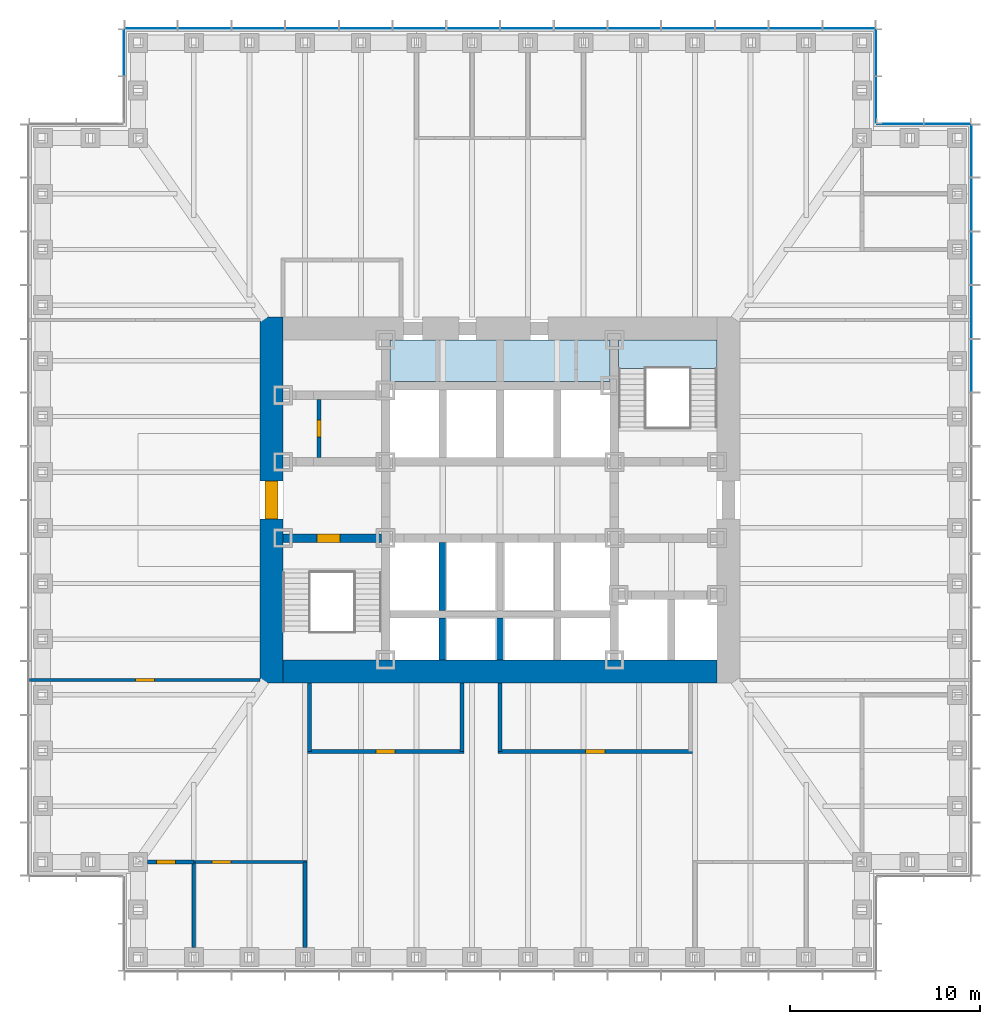
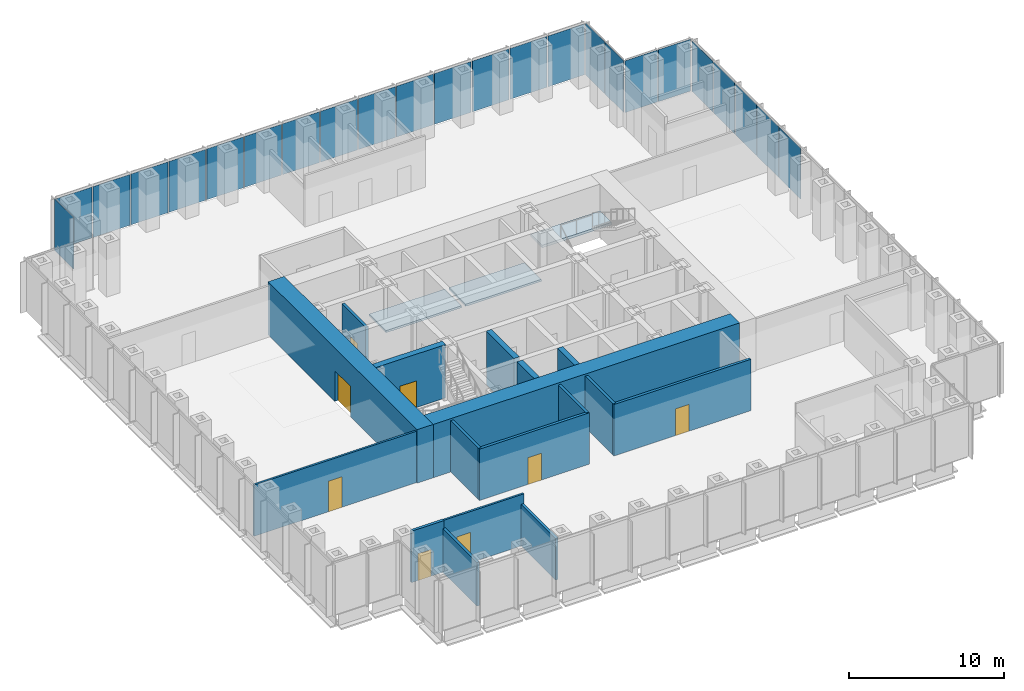
# One storey, part 8 of 16: 24 plates, 17 walls, 8 doors, 3 slabs, 8 openings, 6 elements without a shape of their own.
"""IFC4 building model written with IfcOpenShell, lengths in metres."""

from ifc_helpers import new_model, si_unit, direction, frame, frame_2d, origin, origin_2d, place, context, subcontext, project, spatial, polyline, rectangle, outline, extrude, material, layer, layer_set, type_object, element, fill, aggregate, save


model = new_model("IFC4")

# Units and contexts
model_context = context("Model", 3, precision=1e-05, world=origin(), true_north=direction((0.0, 1.0)))
body_context = subcontext(model_context, "Body", "Model", "MODEL_VIEW")
ifc_project = project(units=[si_unit("LENGTHUNIT", "METRE"), si_unit("AREAUNIT", "SQUARE_METRE"), si_unit("VOLUMEUNIT", "CUBIC_METRE"), si_unit("PLANEANGLEUNIT", "RADIAN"), si_unit("MASSUNIT", "GRAM", prefix="KILO")], contexts=[model_context])

# Site, building, storey
site_placement = place(None, origin())
site = spatial("IfcSite", under=ifc_project, at=site_placement, CompositionType="ELEMENT")
building_placement = place(site_placement, origin())
building = spatial("IfcBuilding", under=site, at=building_placement, Name="Daluyong Arena Tower", CompositionType="ELEMENT")
storey_placement = place(building_placement, frame((0.0, 0.0, 47.5)))
storey = spatial("IfcBuildingStorey", under=building, at=storey_placement, Name="L09", CompositionType="ELEMENT", Elevation=47.5)

# Curtain wall, plates
ifc_material_1 = material(Name="Bronze anodised aluminium and glass", Category="aluminium")
curtain_wall_type_1 = type_object("IfcCurtainWallType", Name="Curtain wall CW1", PredefinedType="USERDEFINED", material=ifc_material_1)
curtain_wall_1_placement = place(storey_placement, origin())
curtain_wall_1 = element("IfcCurtainWall", 1, at=curtain_wall_1_placement, inside=storey, type_object=curtain_wall_type_1, Name="curtain wall L09 E", ObjectType="UNITISED CURTAIN WALL", PredefinedType="USERDEFINED")
ifc_material_2 = material(Name="Tinted double glazed unit", Category="glass")
ifc_layer_1 = layer(ifc_material_2, 0.031982421875)
ifc_layer_set_1 = layer_set([ifc_layer_1], Name="Tinted double glazed unit")
plate_type_1 = type_object("IfcPlateType", Name="CW1 panel 32", PredefinedType="CURTAIN_PANEL", material=ifc_layer_set_1)
plate_1_placement = place(storey_placement, frame((80.75, 87.053466796875, 0.0), z_axis=(0.0, 0.0, 1.0), x_axis=(0.0, 1.0, 0.0)))
plate_1 = element("IfcPlate", 2, at=plate_1_placement, type_object=plate_type_1, Name="curtain wall L09 E panel 10", PredefinedType="CURTAIN_PANEL", context=body_context, shape_type="SweptSolid", body=[
    extrude(rectangle(XDim=2.741455078125, YDim=0.031982421875, at=origin_2d()), origin(), (0.0, 0.0, 1.0), 4.0),
])
plate_2_placement = place(storey_placement, frame((80.75, 89.875, 0.0), z_axis=(0.0, 0.0, 1.0), x_axis=(0.0, 1.0, 0.0)))
plate_2 = element("IfcPlate", 3, at=plate_2_placement, type_object=plate_type_1, Name="curtain wall L09 E panel 11", PredefinedType="CURTAIN_PANEL", context=body_context, shape_type="SweptSolid", body=[
    extrude(rectangle(XDim=2.741455078125, YDim=0.031982421875, at=origin_2d()), origin(), (0.0, 0.0, 1.0), 4.0),
])
plate_3_placement = place(storey_placement, frame((80.75, 92.696533203125, 0.0), z_axis=(0.0, 0.0, 1.0), x_axis=(0.0, 1.0, 0.0)))
plate_3 = element("IfcPlate", 4, at=plate_3_placement, type_object=plate_type_1, Name="curtain wall L09 E panel 12", PredefinedType="CURTAIN_PANEL", context=body_context, shape_type="SweptSolid", body=[
    extrude(rectangle(XDim=2.741455078125, YDim=0.031982421875, at=origin_2d()), origin(), (0.0, 0.0, 1.0), 4.0),
])
plate_4_placement = place(storey_placement, frame((80.75, 95.517822265625, 0.0), z_axis=(0.0, 0.0, 1.0), x_axis=(0.0, 1.0, 0.0)))
plate_4 = element("IfcPlate", 5, at=plate_4_placement, type_object=plate_type_1, Name="curtain wall L09 E panel 13", PredefinedType="CURTAIN_PANEL", context=body_context, shape_type="SweptSolid", body=[
    extrude(rectangle(XDim=2.741455078125, YDim=0.031982421875, at=origin_2d()), origin(), (0.0, 0.0, 1.0), 4.0),
])
plate_5_placement = place(storey_placement, frame((80.75, 98.3193359375, 0.0), z_axis=(0.0, 0.0, 1.0), x_axis=(0.0, 1.0, 0.0)))
plate_5 = element("IfcPlate", 6, at=plate_5_placement, type_object=plate_type_1, Name="curtain wall L09 E panel 14", PredefinedType="CURTAIN_PANEL", context=body_context, shape_type="SweptSolid", body=[
    extrude(rectangle(XDim=2.701416015625, YDim=0.031982421875, at=origin_2d()), origin(), (0.0, 0.0, 1.0), 4.0),
])
aggregate(curtain_wall_1, [plate_1, plate_2, plate_3, plate_4, plate_5])

curtain_wall_2_placement = place(storey_placement, origin())
curtain_wall_2 = element("IfcCurtainWall", 7, at=curtain_wall_2_placement, inside=storey, type_object=curtain_wall_type_1, Name="curtain wall L09 N", ObjectType="UNITISED CURTAIN WALL", PredefinedType="USERDEFINED")
plate_6_placement = place(storey_placement, frame((74.3193359375, 104.75, 0.0), z_axis=(0.0, 0.0, 1.0), x_axis=(-1.0, 0.0, 0.0)))
plate_6 = element("IfcPlate", 8, at=plate_6_placement, type_object=plate_type_1, Name="curtain wall L09 N panel 1", PredefinedType="CURTAIN_PANEL", context=body_context, shape_type="SweptSolid", body=[
    extrude(rectangle(XDim=2.701416015625, YDim=0.031982421875, at=origin_2d()), origin(), (0.0, 0.0, 1.0), 4.0),
])
plate_7_placement = place(storey_placement, frame((71.517822265625, 104.75, 0.0), z_axis=(0.0, 0.0, 1.0), x_axis=(-1.0, 0.0, 0.0)))
plate_7 = element("IfcPlate", 9, at=plate_7_placement, type_object=plate_type_1, Name="curtain wall L09 N panel 2", PredefinedType="CURTAIN_PANEL", context=body_context, shape_type="SweptSolid", body=[
    extrude(rectangle(XDim=2.741455078125, YDim=0.031982421875, at=origin_2d()), origin(), (0.0, 0.0, 1.0), 4.0),
])
plate_8_placement = place(storey_placement, frame((68.696533203125, 104.75, 0.0), z_axis=(0.0, 0.0, 1.0), x_axis=(-1.0, 0.0, 0.0)))
plate_8 = element("IfcPlate", 10, at=plate_8_placement, type_object=plate_type_1, Name="curtain wall L09 N panel 3", PredefinedType="CURTAIN_PANEL", context=body_context, shape_type="SweptSolid", body=[
    extrude(rectangle(XDim=2.741455078125, YDim=0.031982421875, at=origin_2d()), origin(), (0.0, 0.0, 1.0), 4.0),
])
plate_9_placement = place(storey_placement, frame((65.875, 104.75, 0.0), z_axis=(0.0, 0.0, 1.0), x_axis=(-1.0, 0.0, 0.0)))
plate_9 = element("IfcPlate", 11, at=plate_9_placement, type_object=plate_type_1, Name="curtain wall L09 N panel 4", PredefinedType="CURTAIN_PANEL", context=body_context, shape_type="SweptSolid", body=[
    extrude(rectangle(XDim=2.741455078125, YDim=0.031982421875, at=origin_2d()), origin(), (0.0, 0.0, 1.0), 4.0),
])
plate_10_placement = place(storey_placement, frame((63.053466796875, 104.75, 0.0), z_axis=(0.0, 0.0, 1.0), x_axis=(-1.0, 0.0, 0.0)))
plate_10 = element("IfcPlate", 12, at=plate_10_placement, type_object=plate_type_1, Name="curtain wall L09 N panel 5", PredefinedType="CURTAIN_PANEL", context=body_context, shape_type="SweptSolid", body=[
    extrude(rectangle(XDim=2.741455078125, YDim=0.031982421875, at=origin_2d()), origin(), (0.0, 0.0, 1.0), 4.0),
])
plate_11_placement = place(storey_placement, frame((60.232177734375, 104.75, 0.0), z_axis=(0.0, 0.0, 1.0), x_axis=(-1.0, 0.0, 0.0)))
plate_11 = element("IfcPlate", 13, at=plate_11_placement, type_object=plate_type_1, Name="curtain wall L09 N panel 6", PredefinedType="CURTAIN_PANEL", context=body_context, shape_type="SweptSolid", body=[
    extrude(rectangle(XDim=2.741455078125, YDim=0.031982421875, at=origin_2d()), origin(), (0.0, 0.0, 1.0), 4.0),
])
plate_12_placement = place(storey_placement, frame((57.41064453125, 104.75, 0.0), z_axis=(0.0, 0.0, 1.0), x_axis=(-1.0, 0.0, 0.0)))
plate_12 = element("IfcPlate", 14, at=plate_12_placement, type_object=plate_type_1, Name="curtain wall L09 N panel 7", PredefinedType="CURTAIN_PANEL", context=body_context, shape_type="SweptSolid", body=[
    extrude(rectangle(XDim=2.741455078125, YDim=0.031982421875, at=origin_2d()), origin(), (0.0, 0.0, 1.0), 4.0),
])
plate_13_placement = place(storey_placement, frame((54.58935546875, 104.75, 0.0), z_axis=(0.0, 0.0, 1.0), x_axis=(-1.0, 0.0, 0.0)))
plate_13 = element("IfcPlate", 15, at=plate_13_placement, type_object=plate_type_1, Name="curtain wall L09 N panel 8", PredefinedType="CURTAIN_PANEL", context=body_context, shape_type="SweptSolid", body=[
    extrude(rectangle(XDim=2.741455078125, YDim=0.031982421875, at=origin_2d()), origin(), (0.0, 0.0, 1.0), 4.0),
])
plate_14_placement = place(storey_placement, frame((51.767822265625, 104.75, 0.0), z_axis=(0.0, 0.0, 1.0), x_axis=(-1.0, 0.0, 0.0)))
plate_14 = element("IfcPlate", 16, at=plate_14_placement, type_object=plate_type_1, Name="curtain wall L09 N panel 9", PredefinedType="CURTAIN_PANEL", context=body_context, shape_type="SweptSolid", body=[
    extrude(rectangle(XDim=2.741455078125, YDim=0.031982421875, at=origin_2d()), origin(), (0.0, 0.0, 1.0), 4.0),
])
plate_15_placement = place(storey_placement, frame((48.946533203125, 104.75, 0.0), z_axis=(0.0, 0.0, 1.0), x_axis=(-1.0, 0.0, 0.0)))
plate_15 = element("IfcPlate", 17, at=plate_15_placement, type_object=plate_type_1, Name="curtain wall L09 N panel 10", PredefinedType="CURTAIN_PANEL", context=body_context, shape_type="SweptSolid", body=[
    extrude(rectangle(XDim=2.741455078125, YDim=0.031982421875, at=origin_2d()), origin(), (0.0, 0.0, 1.0), 4.0),
])
plate_16_placement = place(storey_placement, frame((46.125, 104.75, 0.0), z_axis=(0.0, 0.0, 1.0), x_axis=(-1.0, 0.0, 0.0)))
plate_16 = element("IfcPlate", 18, at=plate_16_placement, type_object=plate_type_1, Name="curtain wall L09 N panel 11", PredefinedType="CURTAIN_PANEL", context=body_context, shape_type="SweptSolid", body=[
    extrude(rectangle(XDim=2.741455078125, YDim=0.031982421875, at=origin_2d()), origin(), (0.0, 0.0, 1.0), 4.0),
])
plate_17_placement = place(storey_placement, frame((43.303466796875, 104.75, 0.0), z_axis=(0.0, 0.0, 1.0), x_axis=(-1.0, 0.0, 0.0)))
plate_17 = element("IfcPlate", 19, at=plate_17_placement, type_object=plate_type_1, Name="curtain wall L09 N panel 12", PredefinedType="CURTAIN_PANEL", context=body_context, shape_type="SweptSolid", body=[
    extrude(rectangle(XDim=2.741455078125, YDim=0.031982421875, at=origin_2d()), origin(), (0.0, 0.0, 1.0), 4.0),
])
plate_18_placement = place(storey_placement, frame((40.482177734375, 104.75, 0.0), z_axis=(0.0, 0.0, 1.0), x_axis=(-1.0, 0.0, 0.0)))
plate_18 = element("IfcPlate", 20, at=plate_18_placement, type_object=plate_type_1, Name="curtain wall L09 N panel 13", PredefinedType="CURTAIN_PANEL", context=body_context, shape_type="SweptSolid", body=[
    extrude(rectangle(XDim=2.741455078125, YDim=0.031982421875, at=origin_2d()), origin(), (0.0, 0.0, 1.0), 4.0),
])
plate_19_placement = place(storey_placement, frame((37.6806640625, 104.75, 0.0), z_axis=(0.0, 0.0, 1.0), x_axis=(-1.0, 0.0, 0.0)))
plate_19 = element("IfcPlate", 21, at=plate_19_placement, type_object=plate_type_1, Name="curtain wall L09 N panel 14", PredefinedType="CURTAIN_PANEL", context=body_context, shape_type="SweptSolid", body=[
    extrude(rectangle(XDim=2.701416015625, YDim=0.031982421875, at=origin_2d()), origin(), (0.0, 0.0, 1.0), 4.0),
])
aggregate(curtain_wall_2, [plate_6, plate_7, plate_8, plate_9, plate_10, plate_11, plate_12, plate_13, plate_14, plate_15, plate_16, plate_17, plate_18, plate_19])

ifc_material_3 = material(Name="Bronze anodised aluminium and glass", Category="aluminium")
curtain_wall_type_2 = type_object("IfcCurtainWallType", Name="Curtain wall CW7", PredefinedType="USERDEFINED", material=ifc_material_3)
curtain_wall_3_placement = place(storey_placement, origin())
curtain_wall_3 = element("IfcCurtainWall", 22, at=curtain_wall_3_placement, inside=storey, type_object=curtain_wall_type_2, Name="curtain wall L09 NE-N", ObjectType="UNITISED CURTAIN WALL", PredefinedType="USERDEFINED")
ifc_material_4 = material(Name="Tinted double glazed unit", Category="glass")
ifc_layer_2 = layer(ifc_material_4, 0.028076171875)
ifc_layer_set_2 = layer_set([ifc_layer_2], Name="Tinted double glazed unit")
plate_type_2 = type_object("IfcPlateType", Name="CW7 panel 28", PredefinedType="CURTAIN_PANEL", material=ifc_layer_set_2)
plate_20_placement = place(storey_placement, frame((79.485107421875, 99.75, 0.0), z_axis=(0.0, 0.0, 1.0), x_axis=(-1.0, 0.0, 0.0)))
plate_20 = element("IfcPlate", 23, at=plate_20_placement, type_object=plate_type_2, Name="curtain wall L09 NE-N panel 1", PredefinedType="CURTAIN_PANEL", context=body_context, shape_type="SweptSolid", body=[
    extrude(rectangle(XDim=2.409912109375, YDim=0.028076171875, at=origin_2d()), origin(), (0.0, 0.0, 1.0), 4.080078125),
])
plate_21_placement = place(storey_placement, frame((77.014892578125, 99.75, 0.0), z_axis=(0.0, 0.0, 1.0), x_axis=(-1.0, 0.0, 0.0)))
plate_21 = element("IfcPlate", 24, at=plate_21_placement, type_object=plate_type_2, Name="curtain wall L09 NE-N panel 2", PredefinedType="CURTAIN_PANEL", context=body_context, shape_type="SweptSolid", body=[
    extrude(rectangle(XDim=2.409912109375, YDim=0.028076171875, at=origin_2d()), origin(), (0.0, 0.0, 1.0), 4.080078125),
])
aggregate(curtain_wall_3, [plate_20, plate_21])

curtain_wall_4_placement = place(storey_placement, origin())
curtain_wall_4 = element("IfcCurtainWall", 25, at=curtain_wall_4_placement, inside=storey, type_object=curtain_wall_type_2, Name="curtain wall L09 NE-E", ObjectType="UNITISED CURTAIN WALL", PredefinedType="USERDEFINED")
plate_22_placement = place(storey_placement, frame((75.75, 101.014892578125, 0.0), z_axis=(0.0, 0.0, 1.0), x_axis=(0.0, 1.0, 0.0)))
plate_22 = element("IfcPlate", 26, at=plate_22_placement, type_object=plate_type_2, Name="curtain wall L09 NE-E panel 1", PredefinedType="CURTAIN_PANEL", context=body_context, shape_type="SweptSolid", body=[
    extrude(rectangle(XDim=2.409912109375, YDim=0.028076171875, at=origin_2d()), origin(), (0.0, 0.0, 1.0), 4.080078125),
])
plate_23_placement = place(storey_placement, frame((75.75, 103.485107421875, 0.0), z_axis=(0.0, 0.0, 1.0), x_axis=(0.0, 1.0, 0.0)))
plate_23 = element("IfcPlate", 27, at=plate_23_placement, type_object=plate_type_2, Name="curtain wall L09 NE-E panel 2", PredefinedType="CURTAIN_PANEL", context=body_context, shape_type="SweptSolid", body=[
    extrude(rectangle(XDim=2.409912109375, YDim=0.028076171875, at=origin_2d()), origin(), (0.0, 0.0, 1.0), 4.080078125),
])
aggregate(curtain_wall_4, [plate_22, plate_23])

# Curtain wall, plate
curtain_wall_5_placement = place(storey_placement, origin())
curtain_wall_5 = element("IfcCurtainWall", 28, at=curtain_wall_5_placement, inside=storey, type_object=curtain_wall_type_2, Name="curtain wall L09 NW-W", ObjectType="UNITISED CURTAIN WALL", PredefinedType="USERDEFINED")
plate_24_placement = place(storey_placement, frame((36.25, 103.485107421875, 0.0), z_axis=(0.0, 0.0, 1.0), x_axis=(0.0, -1.0, 0.0)))
plate_24 = element("IfcPlate", 29, at=plate_24_placement, type_object=plate_type_2, Name="curtain wall L09 NW-W panel 1", PredefinedType="CURTAIN_PANEL", context=body_context, shape_type="SweptSolid", body=[
    extrude(rectangle(XDim=2.409912109375, YDim=0.028076171875, at=origin_2d()), origin(), (0.0, 0.0, 1.0), 4.080078125),
])
aggregate(curtain_wall_5, [plate_24])

# Stair, slab
ifc_material_5 = material(Name="Concrete fc' 35 MPa", Category="concrete")
stair_type = type_object("IfcStairType", Name="Core exit stair", PredefinedType="HALF_TURN_STAIR", material=ifc_material_5)
stair_placement = place(storey_placement, origin())
stair = element("IfcStair", 30, at=stair_placement, inside=storey, type_object=stair_type, Name="exit stair B L09", PredefinedType="HALF_TURN_STAIR")
ifc_material_6 = material(Name="Concrete fc' 35 MPa", Category="concrete")
ifc_layer_3 = layer(ifc_material_6, 0.199951171875)
ifc_layer_set_3 = layer_set([ifc_layer_3], Name="Concrete fc' 35 MPa")
slab_type_1 = type_object("IfcSlabType", Name="Stair landing 200", PredefinedType="LANDING", material=ifc_layer_set_3)
slab_1_placement = place(storey_placement, frame((0.0, 0.0, 1.89990234375)))
slab_1 = element("IfcSlab", 31, at=slab_1_placement, type_object=slab_type_1, Name="STB landing 1", PredefinedType="LANDING", context=body_context, shape_type="SweptSolid", body=[
    extrude(outline(polyline([(62.22509765625, 86.905029296875), (67.39990234375, 86.905029296875), (67.39990234375, 88.39990234375), (62.22509765625, 88.39990234375), (62.22509765625, 86.905029296875)])), origin(), (0.0, 0.0, 1.0), 0.2001953125),
])
aggregate(stair, [slab_1])

# Slabs
ifc_material_7 = material(Name="Concrete fc' 35 MPa", Category="concrete")
ifc_layer_4 = layer(ifc_material_7, 0.159912109375)
ifc_layer_set_4 = layer_set([ifc_layer_4], Name="Concrete fc' 35 MPa")
slab_type_2 = type_object("IfcSlabType", Name="Tower floor slab 160", PredefinedType="FLOOR", material=ifc_layer_set_4)
slab_2_placement = place(storey_placement, frame((0.0, 0.0, -0.159912109375)))
element("IfcSlab", 32, at=slab_2_placement, inside=storey, type_object=slab_type_2, Name="floor L09 part 5", PredefinedType="FLOOR", context=body_context, shape_type="SweptSolid", body=[
    extrude(outline(polyline([(50.22509765625, 88.39990234375), (50.22509765625, 86.22509765625), (55.85009765625, 86.22509765625), (55.85009765625, 88.39990234375), (50.22509765625, 88.39990234375)])), origin(), (0.0, 0.0, 1.0), 0.159912109375),
])
slab_3_placement = place(storey_placement, frame((0.0, 0.0, -0.159912109375)))
element("IfcSlab", 33, at=slab_3_placement, inside=storey, type_object=slab_type_2, Name="floor L09 part 12", PredefinedType="FLOOR", context=body_context, shape_type="SweptSolid", body=[
    extrude(outline(polyline([(56.14990234375, 86.22509765625), (61.77490234375, 86.22509765625), (61.77490234375, 88.39990234375), (56.14990234375, 88.39990234375), (56.14990234375, 86.22509765625)])), origin(), (0.0, 0.0, 1.0), 0.159912109375),
])

# Wall, opening, door
ifc_material_8 = material(Name="Concrete fc' 45 MPa", Category="concrete")
ifc_layer_5 = layer(ifc_material_8, 0.449951171875)
ifc_layer_set_5 = layer_set([ifc_layer_5], Name="Concrete fc' 45 MPa")
wall_type_1 = type_object("IfcWallType", Name="Core inner wall 450", PredefinedType="SHEAR", material=ifc_layer_set_5)
wall_1_placement = place(storey_placement, frame((44.60009765625, 78.0, 0.0), z_axis=(0.0, 0.0, 1.0), x_axis=(1.0, 0.0, 0.0)))
wall_1 = element("IfcWall", 34, at=wall_1_placement, inside=storey, type_object=wall_type_1, Name="core inner wall at L09", PredefinedType="SHEAR", context=body_context, shape_type="SweptSolid", body=[
    extrude(rectangle(XDim=5.1748046875, YDim=0.449951171875, at=frame_2d((2.58740234375, 0.0))), origin(), (0.0, 0.0, 1.0), 4.199951171875),
])
opening_1_placement = place(wall_1_placement, frame((1.800048828125, 0.0, 0.0)))
opening_1 = element("IfcOpeningElement", 35, at=opening_1_placement, cuts=wall_1, Name="Opening 09008", PredefinedType="OPENING", context=body_context, shape_type="SweptSolid", body=[
    extrude(rectangle(XDim=1.199951171875, YDim=2.10009765625, at=frame_2d((0.60009765625, 1.050048828125))), frame((0.0, 0.23486328125, 0.0), z_axis=(0.0, -1.0, 0.0), x_axis=(1.0, 0.0, 0.0)), (0.0, 0.0, 1.0), 0.469970703125),
])
ifc_material_9 = material(Name="Steel door, fire rated", Category="steel")
door_type_1 = type_object("IfcDoorType", Name="Stair door 1200", OperationType="SINGLE_SWING_LEFT", PredefinedType="DOOR", material=ifc_material_9)
door_1_placement = place(opening_1_placement, origin())
door_1 = element("IfcDoor", 36, at=door_1_placement, inside=storey, type_object=door_type_1, Name="stair A door 09008", OperationType="SINGLE_SWING_LEFT", OverallHeight=2.10009765625, OverallWidth=1.199951171875, PredefinedType="DOOR", context=body_context, shape_type="SweptSolid", body=[
    extrude(rectangle(XDim=1.199951171875, YDim=2.10009765625, at=frame_2d((0.60009765625, 1.050048828125))), frame((0.0, 0.224609375, 0.0), z_axis=(0.0, -1.0, 0.0), x_axis=(1.0, 0.0, 0.0)), (0.0, 0.0, 1.0), 0.449462890625),
])
fill(opening_1, door_1)

ifc_material_10 = material(Name="Concrete fc' 60 MPa", Category="concrete")
ifc_layer_6 = layer(ifc_material_10, 1.199951171875)
ifc_layer_set_6 = layer_set([ifc_layer_6], Name="Concrete fc' 60 MPa")
wall_type_2 = type_object("IfcWallType", Name="Core wall 1200", PredefinedType="SHEAR", material=ifc_layer_set_6)
wall_2_placement = place(storey_placement, frame((44.0, 70.39990234375, 0.0), z_axis=(0.0, 0.0, 1.0), x_axis=(0.0, 1.0, 0.0)))
wall_2 = element("IfcWall", 37, at=wall_2_placement, inside=storey, type_object=wall_type_2, Name="core wall at L09", PredefinedType="SHEAR", context=body_context, shape_type="SweptSolid", body=[
    extrude(rectangle(XDim=19.2001953125, YDim=1.199951171875, at=frame_2d((9.60009765625, 0.0))), origin(), (0.0, 0.0, 1.0), 4.199951171875),
])
opening_2_placement = place(wall_2_placement, frame((8.60009765625, 0.0, 0.0)))
opening_2 = element("IfcOpeningElement", 38, at=opening_2_placement, cuts=wall_2, Name="Opening 09010", PredefinedType="OPENING", context=body_context, shape_type="SweptSolid", body=[
    extrude(rectangle(XDim=2.0, YDim=2.39990234375, at=frame_2d((1.0, 1.199951171875))), frame((0.0, 0.60986328125, 0.0), z_axis=(0.0, -1.0, 0.0), x_axis=(1.0, 0.0, 0.0)), (0.0, 0.0, 1.0), 1.219970703125),
])
ifc_material_11 = material(Name="Steel door, fire rated", Category="steel")
door_type_2 = type_object("IfcDoorType", Name="Core lobby double door 2000", OperationType="DOUBLE_DOOR_SINGLE_SWING", PredefinedType="DOOR", material=ifc_material_11)
door_2_placement = place(opening_2_placement, origin())
door_2 = element("IfcDoor", 39, at=door_2_placement, inside=storey, type_object=door_type_2, Name="core lobby door west 09010", OperationType="DOUBLE_DOOR_SINGLE_SWING", OverallHeight=2.39990234375, OverallWidth=2.0, PredefinedType="DOOR", context=body_context, shape_type="SweptSolid", body=[
    extrude(rectangle(XDim=2.0, YDim=2.39990234375, at=frame_2d((1.0, 1.199951171875))), frame((0.0, 0.35009765625, 0.0), z_axis=(0.0, -1.0, 0.0), x_axis=(1.0, 0.0, 0.0)), (0.0, 0.0, 1.0), 0.699951171875),
])
fill(opening_2, door_2)

# Wall
wall_3_placement = place(storey_placement, frame((44.60009765625, 71.0, 0.0), z_axis=(0.0, 0.0, 1.0), x_axis=(1.0, 0.0, 0.0)))
element("IfcWall", 40, at=wall_3_placement, inside=storey, type_object=wall_type_2, Name="core wall at L09", PredefinedType="SHEAR", context=body_context, shape_type="SweptSolid", body=[
    extrude(rectangle(XDim=22.7998046875, YDim=1.199951171875, at=frame_2d((11.39990234375, 0.0))), origin(), (0.0, 0.0, 1.0), 4.199951171875),
])

# Wall, opening, door
ifc_material_12 = material(Name="Concrete block partition, fire rated", Category="concrete")
ifc_layer_7 = layer(ifc_material_12, 0.199951171875)
ifc_layer_set_7 = layer_set([ifc_layer_7], Name="Concrete block partition, fire rated")
wall_type_3 = type_object("IfcWallType", Name="Fire-rated partition 200", PredefinedType="PARTITIONING", material=ifc_layer_set_7)
wall_4_placement = place(storey_placement, frame((46.5, 82.22509765625, 0.0), z_axis=(0.0, 0.0, 1.0), x_axis=(0.0, 1.0, 0.0)))
wall_4 = element("IfcWall", 41, at=wall_4_placement, inside=storey, type_object=wall_type_3, Name="toilet lobby partition at L09", PredefinedType="PARTITIONING", context=body_context, shape_type="SweptSolid", body=[
    extrude(rectangle(XDim=3.0498046875, YDim=0.199951171875, at=frame_2d((1.52490234375, 0.0))), origin(), (0.0, 0.0, 1.0), 4.0400390625),
])
opening_3_placement = place(wall_4_placement, frame((1.074951171875, 0.0, 0.0)))
opening_3 = element("IfcOpeningElement", 42, at=opening_3_placement, cuts=wall_4, Name="Opening 09002", PredefinedType="OPENING", context=body_context, shape_type="SweptSolid", body=[
    extrude(rectangle(XDim=0.89990234375, YDim=2.10009765625, at=frame_2d((0.449951171875, 1.050048828125))), frame((0.0, 0.10986328125, 0.0), z_axis=(0.0, -1.0, 0.0), x_axis=(1.0, 0.0, 0.0)), (0.0, 0.0, 1.0), 0.219970703125),
])
ifc_material_13 = material(Name="Timber door", Category="wood")
door_type_3 = type_object("IfcDoorType", Name="Toilet door 900", OperationType="SINGLE_SWING_RIGHT", PredefinedType="DOOR", material=ifc_material_13)
door_3_placement = place(opening_3_placement, origin())
door_3 = element("IfcDoor", 43, at=door_3_placement, inside=storey, type_object=door_type_3, Name="male toilet door 09002", OperationType="SINGLE_SWING_RIGHT", OverallHeight=2.10009765625, OverallWidth=0.89990234375, PredefinedType="DOOR", context=body_context, shape_type="SweptSolid", body=[
    extrude(rectangle(XDim=0.89990234375, YDim=2.10009765625, at=frame_2d((0.449951171875, 1.050048828125))), frame((0.0, 0.099609375, 0.0), z_axis=(0.0, -1.0, 0.0), x_axis=(1.0, 0.0, 0.0)), (0.0, 0.0, 1.0), 0.199462890625),
])
fill(opening_3, door_3)

ifc_material_14 = material(Name="Glazed aluminium partition", Category="aluminium")
ifc_layer_8 = layer(ifc_material_14, 0.14990234375)
ifc_layer_set_8 = layer_set([ifc_layer_8], Name="Glazed aluminium partition")
wall_type_4 = type_object("IfcWallType", Name="Glazed partition 150", PredefinedType="PARTITIONING", material=ifc_layer_set_8)
wall_5_placement = place(storey_placement, frame((39.923095703125, 61.0, 0.0), z_axis=(0.0, 0.0, 1.0), x_axis=(1.0, 0.0, 0.0)))
wall_5 = element("IfcWall", 44, at=wall_5_placement, inside=storey, type_object=wall_type_4, Name="glazed partition at L09", PredefinedType="PARTITIONING", context=body_context, shape_type="SweptSolid", body=[
    extrude(rectangle(XDim=5.946044921875, YDim=0.14990234375, at=frame_2d((2.97314453125, 0.0))), origin(), (0.0, 0.0, 1.0), 4.0400390625),
])
opening_4_placement = place(wall_5_placement, frame((0.96142578125, 0.0, 0.0)))
opening_4 = element("IfcOpeningElement", 45, at=opening_4_placement, cuts=wall_5, Name="Opening 09022", PredefinedType="OPENING", context=body_context, shape_type="SweptSolid", body=[
    extrude(rectangle(XDim=1.0, YDim=2.39990234375, at=frame_2d((0.5, 1.199951171875))), frame((0.0, 0.0849609375, 0.0), z_axis=(0.0, -1.0, 0.0), x_axis=(1.0, 0.0, 0.0)), (0.0, 0.0, 1.0), 0.169921875),
])
ifc_material_15 = material(Name="Glazed aluminium door", Category="aluminium")
door_type_4 = type_object("IfcDoorType", Name="Meeting room glazed door 1000", OperationType="SINGLE_SWING_RIGHT", PredefinedType="DOOR", material=ifc_material_15)
door_4_placement = place(opening_4_placement, origin())
door_4 = element("IfcDoor", 46, at=door_4_placement, inside=storey, type_object=door_type_4, Name="meeting room door 09022", OperationType="SINGLE_SWING_RIGHT", OverallHeight=2.39990234375, OverallWidth=1.0, PredefinedType="DOOR", context=body_context, shape_type="SweptSolid", body=[
    extrude(rectangle(XDim=1.0, YDim=2.39990234375, at=frame_2d((0.5, 1.199951171875))), frame((0.0, 0.07470703125, 0.0), z_axis=(0.0, -1.0, 0.0), x_axis=(1.0, 0.0, 0.0)), (0.0, 0.0, 1.0), 0.1494140625),
])
fill(opening_4, door_4)

wall_6_placement = place(storey_placement, frame((31.31005859375, 70.550048828125, 0.0), z_axis=(0.0, 0.0, 1.0), x_axis=(1.0, 0.0, 0.0)))
wall_6 = element("IfcWall", 47, at=wall_6_placement, inside=storey, type_object=wall_type_4, Name="glazed partition at L09", PredefinedType="PARTITIONING", context=body_context, shape_type="SweptSolid", body=[
    extrude(rectangle(XDim=12.08984375, YDim=0.14990234375, at=frame_2d((6.044921875, 0.0))), origin(), (0.0, 0.0, 1.0), 4.0400390625),
])
opening_5_placement = place(wall_6_placement, frame((5.544921875, 0.0, 0.0)))
opening_5 = element("IfcOpeningElement", 48, at=opening_5_placement, cuts=wall_6, Name="Opening 09034", PredefinedType="OPENING", context=body_context, shape_type="SweptSolid", body=[
    extrude(rectangle(XDim=1.0, YDim=2.39990234375, at=frame_2d((0.5, 1.199951171875))), frame((0.0, 0.0849609375, 0.0), z_axis=(0.0, -1.0, 0.0), x_axis=(1.0, 0.0, 0.0)), (0.0, 0.0, 1.0), 0.169921875),
])
door_5_placement = place(opening_5_placement, origin())
door_5 = element("IfcDoor", 49, at=door_5_placement, inside=storey, type_object=door_type_4, Name="team area screen door 09034", OperationType="SINGLE_SWING_RIGHT", OverallHeight=2.39990234375, OverallWidth=1.0, PredefinedType="DOOR", context=body_context, shape_type="SweptSolid", body=[
    extrude(rectangle(XDim=1.0, YDim=2.39990234375, at=frame_2d((0.5, 1.199951171875))), frame((0.0, 0.07470703125, 0.0), z_axis=(0.0, -1.0, 0.0), x_axis=(1.0, 0.0, 0.0)), (0.0, 0.0, 1.0), 0.1494140625),
])
fill(opening_5, door_5)

# Walls
ifc_material_16 = material(Name="Concrete fc' 45 MPa", Category="concrete")
ifc_layer_9 = layer(ifc_material_16, 0.39990234375)
ifc_layer_set_9 = layer_set([ifc_layer_9], Name="Concrete fc' 45 MPa")
wall_type_5 = type_object("IfcWallType", Name="Lift shaft wall 400", PredefinedType="SHEAR", material=ifc_layer_set_9)
wall_7_placement = place(storey_placement, frame((53.0, 71.60009765625, 0.0), z_axis=(0.0, 0.0, 1.0), x_axis=(0.0, 1.0, 0.0)))
element("IfcWall", 50, at=wall_7_placement, inside=storey, type_object=wall_type_5, Name="lift shaft wall at L09", PredefinedType="SHEAR", context=body_context, shape_type="SweptSolid", body=[
    extrude(rectangle(XDim=2.199951171875, YDim=0.39990234375, at=frame_2d((1.10009765625, 0.0))), origin(), (0.0, 0.0, 1.0), 4.199951171875),
])
wall_8_placement = place(storey_placement, frame((53.0, 74.199951171875, 0.0), z_axis=(0.0, 0.0, 1.0), x_axis=(0.0, 1.0, 0.0)))
element("IfcWall", 51, at=wall_8_placement, inside=storey, type_object=wall_type_5, Name="lift shaft wall at L09", PredefinedType="SHEAR", context=body_context, shape_type="SweptSolid", body=[
    extrude(rectangle(XDim=3.574951171875, YDim=0.39990234375, at=frame_2d((1.78759765625, 0.0))), origin(), (0.0, 0.0, 1.0), 4.199951171875),
])
wall_9_placement = place(storey_placement, frame((56.0, 71.60009765625, 0.0), z_axis=(0.0, 0.0, 1.0), x_axis=(0.0, 1.0, 0.0)))
element("IfcWall", 52, at=wall_9_placement, inside=storey, type_object=wall_type_5, Name="lift shaft wall at L09", PredefinedType="SHEAR", context=body_context, shape_type="SweptSolid", body=[
    extrude(rectangle(XDim=2.199951171875, YDim=0.39990234375, at=frame_2d((1.10009765625, 0.0))), origin(), (0.0, 0.0, 1.0), 4.199951171875),
])
ifc_material_17 = material(Name="Concrete block partition", Category="concrete")
ifc_layer_10 = layer(ifc_material_17, 0.199951171875)
ifc_layer_set_10 = layer_set([ifc_layer_10], Name="Concrete block partition")
wall_type_6 = type_object("IfcWallType", Name="Partition 200", PredefinedType="PARTITIONING", material=ifc_layer_set_10)
wall_10_placement = place(storey_placement, frame((39.923095703125, 56.5, 0.0), z_axis=(0.0, 0.0, 1.0), x_axis=(0.0, 1.0, 0.0)))
element("IfcWall", 53, at=wall_10_placement, inside=storey, type_object=wall_type_6, Name="partition at L09", PredefinedType="PARTITIONING", context=body_context, shape_type="SweptSolid", body=[
    extrude(rectangle(XDim=4.5, YDim=0.199951171875, at=frame_2d((2.25, 0.0))), origin(), (0.0, 0.0, 1.0), 3.427978515625),
])
wall_11_placement = place(storey_placement, frame((45.769287109375, 56.5, 0.0), z_axis=(0.0, 0.0, 1.0), x_axis=(0.0, 1.0, 0.0)))
element("IfcWall", 54, at=wall_11_placement, inside=storey, type_object=wall_type_6, Name="partition at L09", PredefinedType="PARTITIONING", context=body_context, shape_type="SweptSolid", body=[
    extrude(rectangle(XDim=4.5, YDim=0.199951171875, at=frame_2d((2.25, 0.0))), origin(), (0.0, 0.0, 1.0), 3.278076171875),
])
for number, where, z_axis, x_axis, name in (
    (55, (46.0, 66.800048828125, 0.0), (0.0, 0.0, 1.0), (0.0, 1.0, 0.0), "partition at L09"),
    (56, (54.0, 66.800048828125, 0.0), (0.0, 0.0, 1.0), (0.0, 1.0, 0.0), "partition at L09"),
    (57, (56.0, 66.800048828125, 0.0), (0.0, 0.0, 1.0), (0.0, 1.0, 0.0), "partition at L09"),
):
    element("IfcWall", number, at=place(storey_placement, frame(where, z_axis=z_axis, x_axis=x_axis)), inside=storey, type_object=wall_type_6, Name=name, PredefinedType="PARTITIONING", context=body_context, shape_type="SweptSolid", body=[
        extrude(rectangle(XDim=3.599853515625, YDim=0.199951171875, at=frame_2d((1.7998046875, 0.0))), origin(), (0.0, 0.0, 1.0), 4.0400390625),
    ])

# Wall, opening, door
wall_12_placement = place(storey_placement, frame((37.5, 61.0, 0.0), z_axis=(0.0, 0.0, 1.0), x_axis=(1.0, 0.0, 0.0)))
wall_12 = element("IfcWall", 58, at=wall_12_placement, inside=storey, type_object=wall_type_6, Name="partition at L09", PredefinedType="PARTITIONING", context=body_context, shape_type="SweptSolid", body=[
    extrude(rectangle(XDim=2.423095703125, YDim=0.199951171875, at=frame_2d((1.21142578125, 0.0))), origin(), (0.0, 0.0, 1.0), 4.0400390625),
])
opening_6_placement = place(wall_12_placement, frame((0.46142578125, 0.0, 0.0)))
opening_6 = element("IfcOpeningElement", 59, at=opening_6_placement, cuts=wall_12, Name="Opening 09021", PredefinedType="OPENING", context=body_context, shape_type="SweptSolid", body=[
    extrude(rectangle(XDim=1.0, YDim=2.10009765625, at=frame_2d((0.5, 1.050048828125))), frame((0.0, 0.10986328125, 0.0), z_axis=(0.0, -1.0, 0.0), x_axis=(1.0, 0.0, 0.0)), (0.0, 0.0, 1.0), 0.219970703125),
])
ifc_material_18 = material(Name="Timber door", Category="wood")
door_type_5 = type_object("IfcDoorType", Name="Room door 1000", OperationType="SINGLE_SWING_LEFT", PredefinedType="DOOR", material=ifc_material_18)
door_6_placement = place(opening_6_placement, origin())
door_6 = element("IfcDoor", 60, at=door_6_placement, inside=storey, type_object=door_type_5, Name="wellness room door 09021", OperationType="SINGLE_SWING_LEFT", OverallHeight=2.10009765625, OverallWidth=1.0, PredefinedType="DOOR", context=body_context, shape_type="SweptSolid", body=[
    extrude(rectangle(XDim=1.0, YDim=2.10009765625, at=frame_2d((0.5, 1.050048828125))), frame((0.0, 0.099609375, 0.0), z_axis=(0.0, -1.0, 0.0), x_axis=(1.0, 0.0, 0.0)), (0.0, 0.0, 1.0), 0.199462890625),
])
fill(opening_6, door_6)

wall_13_placement = place(storey_placement, frame((45.89990234375, 66.800048828125, 0.0), z_axis=(0.0, 0.0, 1.0), x_axis=(1.0, 0.0, 0.0)))
wall_13 = element("IfcWall", 61, at=wall_13_placement, inside=storey, type_object=wall_type_6, Name="partition at L09", PredefinedType="PARTITIONING", context=body_context, shape_type="SweptSolid", body=[
    extrude(rectangle(XDim=8.2001953125, YDim=0.199951171875, at=frame_2d((4.10009765625, 0.0))), origin(), (0.0, 0.0, 1.0), 4.0400390625),
])
opening_7_placement = place(wall_13_placement, frame((3.60009765625, 0.0, 0.0)))
opening_7 = element("IfcOpeningElement", 62, at=opening_7_placement, cuts=wall_13, Name="Opening 09031", PredefinedType="OPENING", context=body_context, shape_type="SweptSolid", body=[
    extrude(rectangle(XDim=1.0, YDim=2.10009765625, at=frame_2d((0.5, 1.050048828125))), frame((0.0, 0.10986328125, 0.0), z_axis=(0.0, -1.0, 0.0), x_axis=(1.0, 0.0, 0.0)), (0.0, 0.0, 1.0), 0.219970703125),
])
door_7_placement = place(opening_7_placement, origin())
door_7 = element("IfcDoor", 63, at=door_7_placement, inside=storey, type_object=door_type_5, Name="pantry door 09031", OperationType="SINGLE_SWING_LEFT", OverallHeight=2.10009765625, OverallWidth=1.0, PredefinedType="DOOR", context=body_context, shape_type="SweptSolid", body=[
    extrude(rectangle(XDim=1.0, YDim=2.10009765625, at=frame_2d((0.5, 1.050048828125))), frame((0.0, 0.099609375, 0.0), z_axis=(0.0, -1.0, 0.0), x_axis=(1.0, 0.0, 0.0)), (0.0, 0.0, 1.0), 0.199462890625),
])
fill(opening_7, door_7)

wall_14_placement = place(storey_placement, frame((55.89990234375, 66.800048828125, 0.0), z_axis=(0.0, 0.0, 1.0), x_axis=(1.0, 0.0, 0.0)))
wall_14 = element("IfcWall", 64, at=wall_14_placement, inside=storey, type_object=wall_type_6, Name="partition at L09", PredefinedType="PARTITIONING", context=body_context, shape_type="SweptSolid", body=[
    extrude(rectangle(XDim=10.2001953125, YDim=0.199951171875, at=frame_2d((5.10009765625, 0.0))), origin(), (0.0, 0.0, 1.0), 4.0400390625),
])
opening_8_placement = place(wall_14_placement, frame((4.60009765625, 0.0, 0.0)))
opening_8 = element("IfcOpeningElement", 65, at=opening_8_placement, cuts=wall_14, Name="Opening 09032", PredefinedType="OPENING", context=body_context, shape_type="SweptSolid", body=[
    extrude(rectangle(XDim=1.0, YDim=2.10009765625, at=frame_2d((0.5, 1.050048828125))), frame((0.0, 0.10986328125, 0.0), z_axis=(0.0, -1.0, 0.0), x_axis=(1.0, 0.0, 0.0)), (0.0, 0.0, 1.0), 0.219970703125),
])
door_8_placement = place(opening_8_placement, origin())
door_8 = element("IfcDoor", 66, at=door_8_placement, inside=storey, type_object=door_type_5, Name="locker room door 09032", OperationType="SINGLE_SWING_LEFT", OverallHeight=2.10009765625, OverallWidth=1.0, PredefinedType="DOOR", context=body_context, shape_type="SweptSolid", body=[
    extrude(rectangle(XDim=1.0, YDim=2.10009765625, at=frame_2d((0.5, 1.050048828125))), frame((0.0, 0.099609375, 0.0), z_axis=(0.0, -1.0, 0.0), x_axis=(1.0, 0.0, 0.0)), (0.0, 0.0, 1.0), 0.199462890625),
])
fill(opening_8, door_8)

save(model, "model.ifc")
